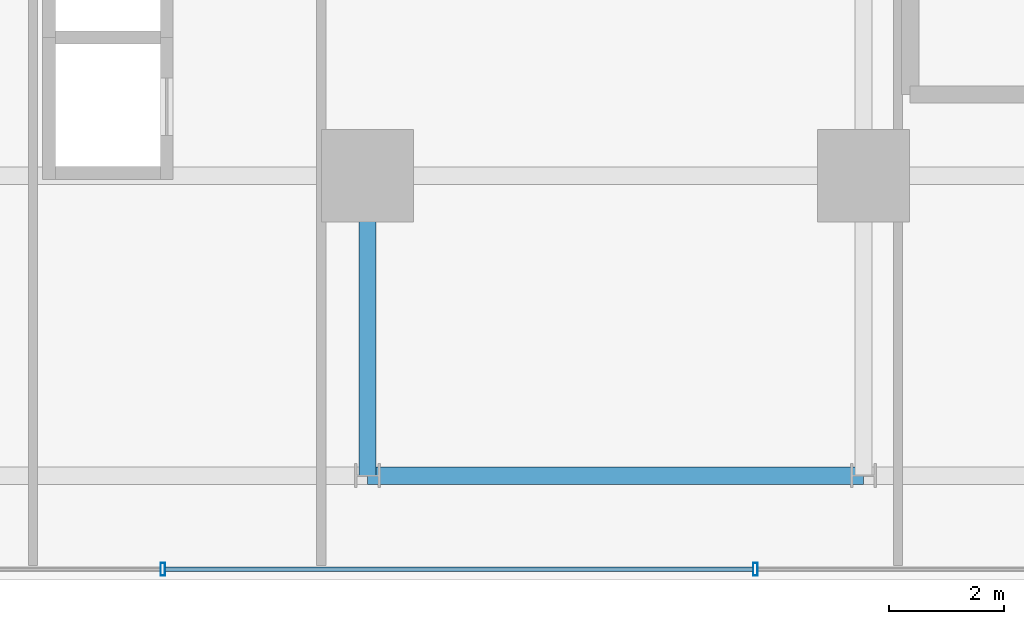
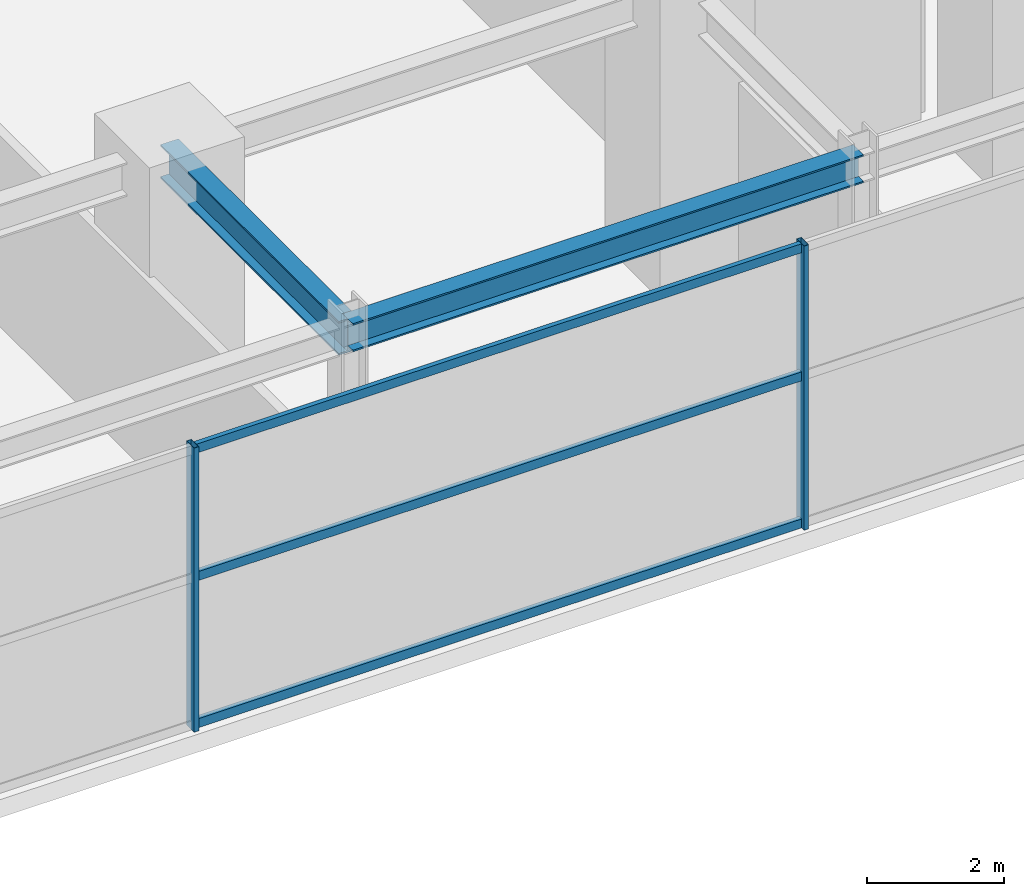
# One storey, part 6 of 32: 5 members, 2 beams, 1 element without a shape of its own.
"""IFC4 building model written with IfcOpenShell, lengths in metres."""

from ifc_helpers import new_model, si_unit, direction, frame, origin, origin_2d, place, context, subcontext, project, spatial, hollow_rectangle, i_section, extrude, source, transform, mapped, material, material_profile, profile_set, type_object, element, aggregate, save


model = new_model("IFC4")

# Units and contexts
model_context = context("Model", 3, precision=1e-05, world=origin(), true_north=direction((0.0, 1.0)))
body_context = subcontext(model_context, "Body", "Model", "MODEL_VIEW")
ifc_project = project(units=[si_unit("LENGTHUNIT", "METRE"), si_unit("AREAUNIT", "SQUARE_METRE"), si_unit("VOLUMEUNIT", "CUBIC_METRE"), si_unit("PLANEANGLEUNIT", "RADIAN"), si_unit("MASSUNIT", "GRAM", prefix="KILO")], contexts=[model_context])

# Site, building, storey
site_placement = place(None, origin())
site = spatial("IfcSite", under=ifc_project, at=site_placement, CompositionType="ELEMENT")
building_placement = place(site_placement, origin())
building = spatial("IfcBuilding", under=site, at=building_placement, Name="Nahalor Promenade Grand Hotel", CompositionType="ELEMENT")
storey_placement = place(building_placement, frame((0.0, 0.0, 10.800048828125)))
storey = spatial("IfcBuildingStorey", under=building, at=storey_placement, Name="L02", CompositionType="ELEMENT", Elevation=10.800048828125)

# Beams
ifc_material_1 = material(Name="Steel S355JR", Category="steel")
ifc_material_profile_1 = material_profile(ifc_material_1, i_section(OverallWidth=0.3, OverallDepth=0.6, WebThickness=0.0155, FlangeThickness=0.03, at=origin_2d()), Name="HEB 600")
ifc_profile_set_1 = profile_set([ifc_material_profile_1], Name="Steel S355JR")
beam_type_1 = type_object("IfcBeamType", Name="Beam-Girder-HEB600", PredefinedType="BEAM", material=ifc_profile_set_1)
shared_shape_1 = source(origin(), body_context, "Body", "SweptSolid", [
    extrude(i_section(OverallWidth=0.3, OverallDepth=0.6, WebThickness=0.0155, FlangeThickness=0.03, at=origin_2d()), origin(), (0.0, 0.0, 1.0), 5.199951171875),
])
beam_1_placement = place(storey_placement, frame((-17.0, -22.199951171875, 4.760009765625), z_axis=(0.0, 1.0, 0.0), x_axis=(-1.0, 0.0, 0.0)))
element("IfcBeam", 1, at=beam_1_placement, inside=storey, type_object=beam_type_1, Name="BM-L02-GY-0-0", PredefinedType="BEAM", context=body_context, shape_type="MappedRepresentation", body=[
    mapped(shared_shape_1, transform((0.0, 0.0, 0.0), scale=1.0)),
])
ifc_material_profile_2 = material_profile(ifc_material_1, i_section(OverallWidth=0.3, OverallDepth=0.5, WebThickness=0.0145, FlangeThickness=0.028, at=origin_2d()), Name="HEB 500")
ifc_profile_set_2 = profile_set([ifc_material_profile_2], Name="Steel S355JR")
beam_type_2 = type_object("IfcBeamType", Name="Beam-Spandrel-HEB500", PredefinedType="SPANDREL", material=ifc_profile_set_2)
shared_shape_2 = source(origin(), body_context, "Body", "SweptSolid", [
    extrude(i_section(OverallWidth=0.3, OverallDepth=0.5, WebThickness=0.0145, FlangeThickness=0.028, at=origin_2d()), origin(), (0.0, 0.0, 1.0), 8.60009765625),
])
beam_2_placement = place(storey_placement, frame((-17.0, -22.199951171875, 4.81005859375), z_axis=(1.0, 0.0, 0.0), x_axis=(0.0, 1.0, 0.0)))
element("IfcBeam", 2, at=beam_2_placement, inside=storey, type_object=beam_type_2, Name="BM-L02-SP-S-0", PredefinedType="SPANDREL", context=body_context, shape_type="MappedRepresentation", body=[
    mapped(shared_shape_2, transform((0.0, 0.0, 0.0), scale=1.0)),
])

# Curtain wall, members
ifc_material_2 = material(Name="Anodised Bronze Aluminium EN AW-6063 T6", Category="aluminium")
curtain_wall_type = type_object("IfcCurtainWallType", Name="CW1 Waterfront Podium Bronze Arcade Curtain Wall", PredefinedType="USERDEFINED", material=ifc_material_2)
curtain_wall_placement = place(storey_placement, origin())
curtain_wall = element("IfcCurtainWall", 3, at=curtain_wall_placement, inside=storey, type_object=curtain_wall_type, Name="L02 Curtain Wall CW-L02-S", ObjectType="UNITISED_CURTAIN_WALL", PredefinedType="USERDEFINED")
ifc_material_profile_3 = material_profile(ifc_material_2, hollow_rectangle(XDim=0.08, YDim=0.22, WallThickness=0.005, at=origin_2d()), Name="CWM 80x220x5")
ifc_profile_set_3 = profile_set([ifc_material_profile_3], Name="Anodised Bronze Aluminium EN AW-6063 T6")
member_type_1 = type_object("IfcMemberType", Name="CWM1 Podium Bronze Mullion 80x220", PredefinedType="MULLION", material=ifc_profile_set_3)
shared_shape_3 = source(origin(), body_context, "Body", "SweptSolid", [
    extrude(hollow_rectangle(XDim=0.08, YDim=0.22, WallThickness=0.005, at=origin_2d()), origin(), (0.0, 0.0, 1.0), 5.06005859375),
])
member_1_placement = place(storey_placement, frame((-20.546630859375, -23.820068359375, 0.0), z_axis=(0.0, 0.0, 1.0), x_axis=(1.0, 0.0, 0.0)))
member_1 = element("IfcMember", 4, at=member_1_placement, type_object=member_type_1, Name="CW-L02-S Mullion 1", PredefinedType="MULLION", context=body_context, shape_type="MappedRepresentation", body=[
    mapped(shared_shape_3, transform((0.0, 0.0, 0.0), scale=1.0)),
])
member_2_placement = place(storey_placement, frame((-10.2734375, -23.820068359375, 0.0), z_axis=(0.0, 0.0, 1.0), x_axis=(1.0, 0.0, 0.0)))
member_2 = element("IfcMember", 5, at=member_2_placement, type_object=member_type_1, Name="CW-L02-S Mullion 2", PredefinedType="MULLION", context=body_context, shape_type="MappedRepresentation", body=[
    mapped(shared_shape_3, transform((0.0, 0.0, 0.0), scale=1.0)),
])
ifc_material_profile_4 = material_profile(ifc_material_2, hollow_rectangle(XDim=0.08, YDim=0.16, WallThickness=0.004, at=origin_2d()), Name="CWT 80x160x4")
ifc_profile_set_4 = profile_set([ifc_material_profile_4], Name="Anodised Bronze Aluminium EN AW-6063 T6")
member_type_2 = type_object("IfcMemberType", Name="CWT1 Podium Bronze Transom 80x160", PredefinedType="USERDEFINED", material=ifc_profile_set_4)
shared_shape_4 = source(origin(), body_context, "Body", "SweptSolid", [
    extrude(hollow_rectangle(XDim=0.08, YDim=0.16, WallThickness=0.004, at=origin_2d()), origin(), (0.0, 0.0, 1.0), 10.193359375),
])
member_3_placement = place(storey_placement, frame((-20.506591796875, -23.820068359375, 0.079833984375), z_axis=(1.0, 0.0, 0.0), x_axis=(0.0, 1.0, 0.0)))
member_3 = element("IfcMember", 6, at=member_3_placement, type_object=member_type_2, Name="CW-L02-S Transom 1-0", ObjectType="TRANSOM", PredefinedType="USERDEFINED", context=body_context, shape_type="MappedRepresentation", body=[
    mapped(shared_shape_4, transform((0.0, 0.0, 0.0), scale=1.0)),
])
member_4_placement = place(storey_placement, frame((-20.506591796875, -23.820068359375, 2.699951171875), z_axis=(1.0, 0.0, 0.0), x_axis=(0.0, 1.0, 0.0)))
member_4 = element("IfcMember", 7, at=member_4_placement, type_object=member_type_2, Name="CW-L02-S Transom 1-1", ObjectType="TRANSOM", PredefinedType="USERDEFINED", context=body_context, shape_type="MappedRepresentation", body=[
    mapped(shared_shape_4, transform((0.0, 0.0, 0.0), scale=1.0)),
])
member_5_placement = place(storey_placement, frame((-20.506591796875, -23.820068359375, 4.97998046875), z_axis=(1.0, 0.0, 0.0), x_axis=(0.0, 1.0, 0.0)))
member_5 = element("IfcMember", 8, at=member_5_placement, type_object=member_type_2, Name="CW-L02-S Transom 1-2", ObjectType="TRANSOM", PredefinedType="USERDEFINED", context=body_context, shape_type="MappedRepresentation", body=[
    mapped(shared_shape_4, transform((0.0, 0.0, 0.0), scale=1.0)),
])
aggregate(curtain_wall, [member_1, member_2, member_3, member_4, member_5])

save(model, "model.ifc")
